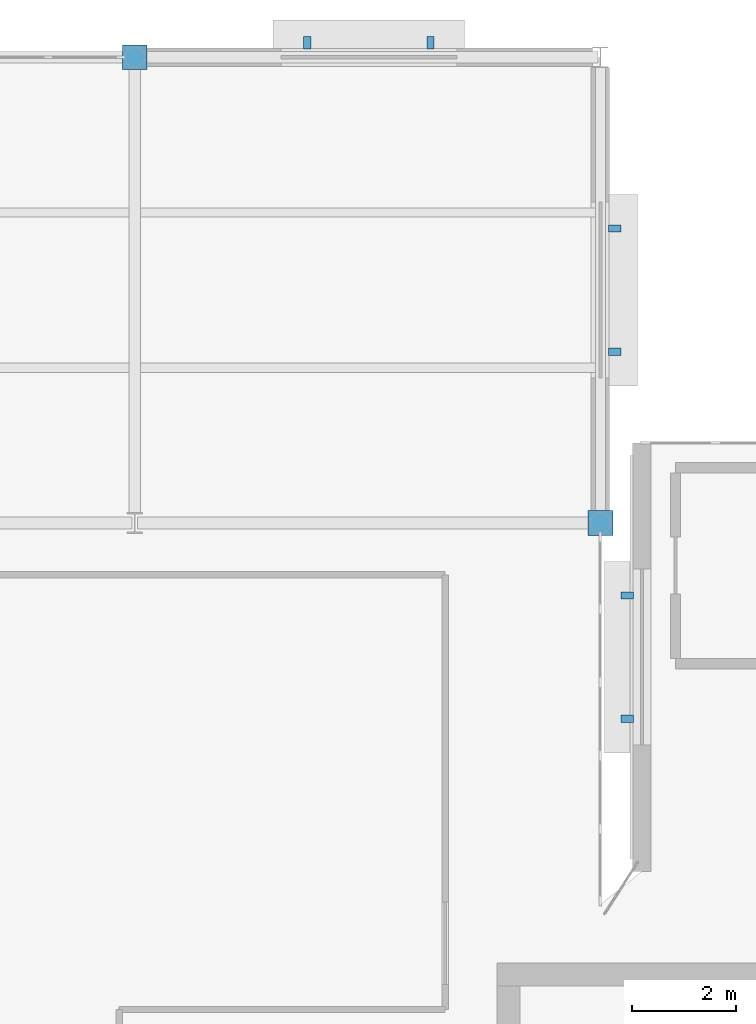
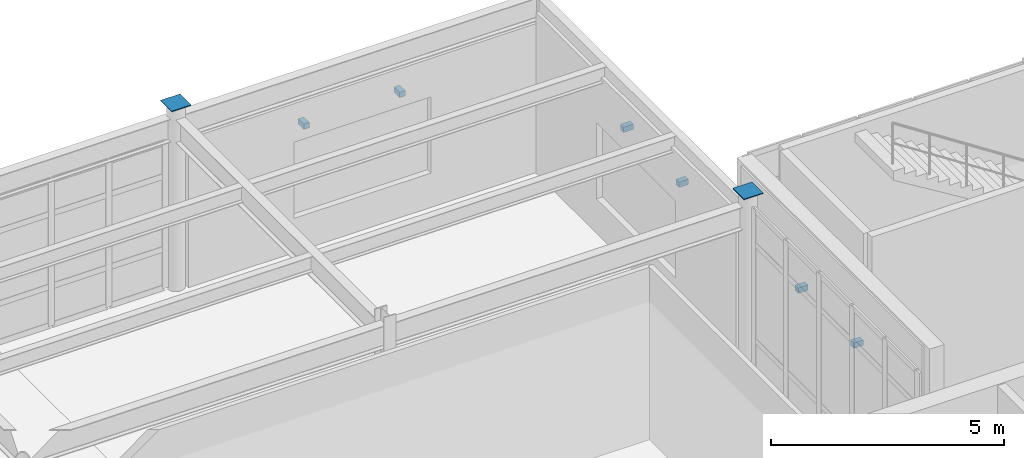
# One storey, part 75 of 84: 8 discrete accessories.
"""IFC4 building model written with IfcOpenShell, lengths in metres."""

from ifc_helpers import new_model, si_unit, direction, frame, origin, origin_2d, place, context, subcontext, project, spatial, rectangle, extrude, material, type_object, element, save


model = new_model("IFC4")

# Units and contexts
model_context = context("Model", 3, precision=1e-05, world=origin(), true_north=direction((0.0, 1.0)))
body_context = subcontext(model_context, "Body", "Model", "MODEL_VIEW")
ifc_project = project(units=[si_unit("LENGTHUNIT", "METRE"), si_unit("AREAUNIT", "SQUARE_METRE"), si_unit("VOLUMEUNIT", "CUBIC_METRE"), si_unit("PLANEANGLEUNIT", "RADIAN"), si_unit("MASSUNIT", "GRAM", prefix="KILO")], contexts=[model_context])

# Site, building, storey
site_placement = place(None, origin())
site = spatial("IfcSite", under=ifc_project, at=site_placement, CompositionType="ELEMENT")
building_placement = place(site_placement, origin())
building = spatial("IfcBuilding", under=site, at=building_placement, Name="Glasvene Arena", CompositionType="ELEMENT")
storey_placement = place(building_placement, frame((0.0, 0.0, 10.199951171875)))
storey = spatial("IfcBuildingStorey", under=building, at=storey_placement, Name="L02", CompositionType="ELEMENT", Elevation=10.199951171875)

# Discrete accessories
ifc_material_1 = material(Name="Steel S355J2", Category="steel")
discrete_accessory_type_1 = type_object("IfcDiscreteAccessoryType", Name="ACC-CAP-CHS420", PredefinedType="USERDEFINED", material=ifc_material_1)
for number, where, z_axis, x_axis, name in (
    (1, (36.0, 118.0, 4.798095703125), (0.0, 0.0, 1.0), (1.0, 0.0, 0.0), "Hollow column top cap plate 5-14 L02"),
    (2, (45.0, 109.0, 4.798095703125), (0.0, 0.0, 1.0), (1.0, 0.0, 0.0), "Hollow column top cap plate 6-13 L02"),
):
    element("IfcDiscreteAccessory", number, at=place(storey_placement, frame(where, z_axis=z_axis, x_axis=x_axis)), inside=storey, type_object=discrete_accessory_type_1, Name=name, ObjectType="CAP PLATE", PredefinedType="USERDEFINED", context=body_context, shape_type="SweptSolid", body=[
        extrude(rectangle(XDim=0.47998046875, YDim=0.47998046875, at=origin_2d()), origin(), (0.0, 0.0, 1.0), 0.02001953125),
    ])
ifc_material_2 = material(Name="Warm bronze architectural aluminium", Category="aluminium")
discrete_accessory_type_2 = type_object("IfcDiscreteAccessoryType", Name="ACC-FIN-BRK", PredefinedType="BRACKET", material=ifc_material_2)
for number, where, z_axis, x_axis, name in (
    (3, (39.336669921875, 118.280029296875, 2.8701171875), (0.0, 0.0, 1.0), (1.0, 0.0, 0.0), "Brise-soleil wall bracket BK-049"),
    (4, (41.716552734375, 118.280029296875, 2.8701171875), (0.0, 0.0, 1.0), (1.0, 0.0, 0.0), "Brise-soleil wall bracket BK-049"),
    (5, (45.280029296875, 114.691650390625, 2.8701171875), (0.0, 0.0, 1.0), (0.0, -1.0, 0.0), "Brise-soleil wall bracket BK-050"),
    (6, (45.280029296875, 112.3115234375, 2.8701171875), (0.0, 0.0, 1.0), (0.0, -1.0, 0.0), "Brise-soleil wall bracket BK-050"),
    (7, (45.52001953125, 105.219482421875, 2.8701171875), (0.0, 0.0, 1.0), (0.0, 1.0, 0.0), "Brise-soleil wall bracket BK-051"),
    (8, (45.52001953125, 107.599609375, 2.8701171875), (0.0, 0.0, 1.0), (0.0, 1.0, 0.0), "Brise-soleil wall bracket BK-051"),
):
    element("IfcDiscreteAccessory", number, at=place(storey_placement, frame(where, z_axis=z_axis, x_axis=x_axis)), inside=storey, type_object=discrete_accessory_type_2, Name=name, PredefinedType="BRACKET", context=body_context, shape_type="SweptSolid", body=[
        extrude(rectangle(XDim=0.139892578125, YDim=0.239990234375, at=origin_2d()), origin(), (0.0, 0.0, 1.0), 0.139892578125),
    ])

save(model, "model.ifc")
